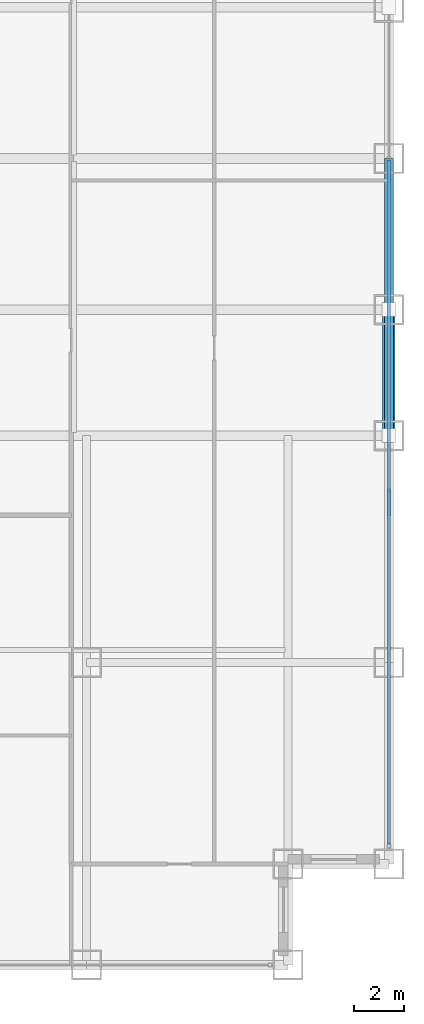
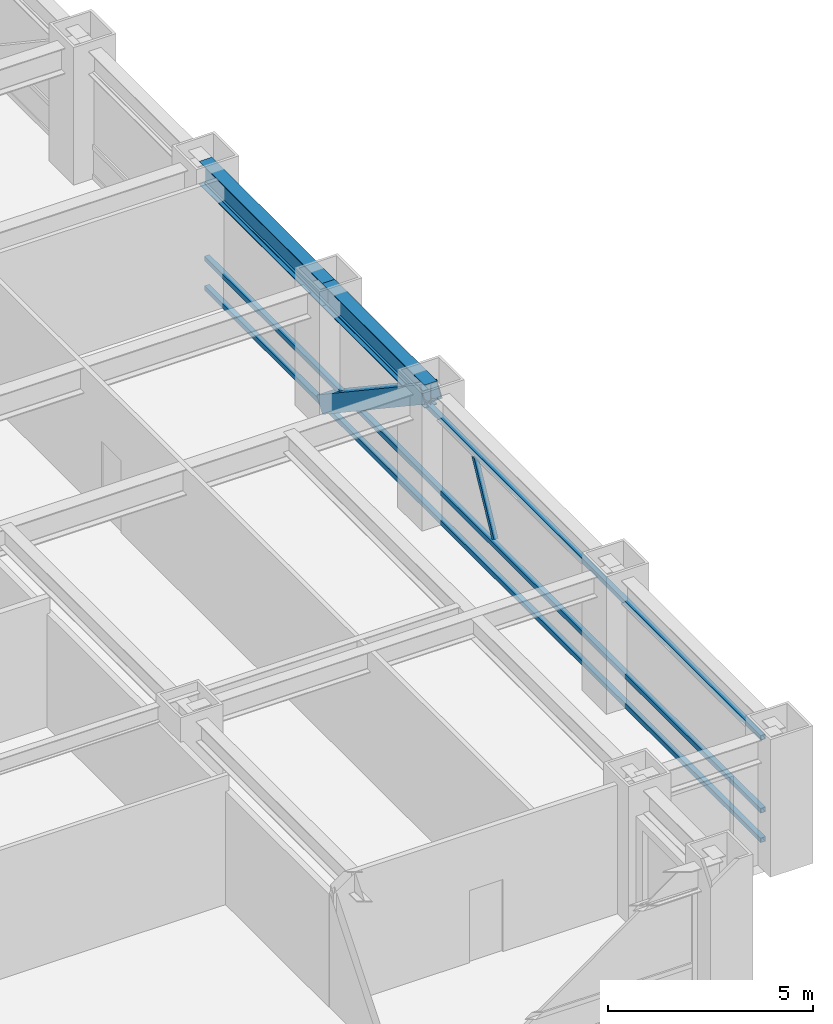
# One storey, part 13 of 28: 5 members, 2 beams, 1 element without a shape of its own.
"""IFC4 building model written with IfcOpenShell, lengths in metres."""

from ifc_helpers import new_model, si_unit, direction, frame, origin, origin_2d, place, context, subcontext, project, spatial, hollow_rectangle, i_section, extrude, source, transform, mapped, material, material_profile, profile_set, type_object, element, aggregate, save


model = new_model("IFC4")

# Units and contexts
model_context = context("Model", 3, precision=1e-05, world=origin(), true_north=direction((0.0, 1.0)))
body_context = subcontext(model_context, "Body", "Model", "MODEL_VIEW")
ifc_project = project(units=[si_unit("LENGTHUNIT", "METRE"), si_unit("AREAUNIT", "SQUARE_METRE"), si_unit("VOLUMEUNIT", "CUBIC_METRE"), si_unit("PLANEANGLEUNIT", "RADIAN"), si_unit("MASSUNIT", "GRAM", prefix="KILO")], contexts=[model_context])

# Site, building, storey
site_placement = place(None, origin())
site = spatial("IfcSite", under=ifc_project, at=site_placement, CompositionType="ELEMENT")
building_placement = place(site_placement, origin())
building = spatial("IfcBuilding", under=site, at=building_placement, Name="Khorayat Bourse Tower", CompositionType="ELEMENT")
storey_placement = place(building_placement, frame((0.0, 0.0, 120.10009765625)))
storey = spatial("IfcBuildingStorey", under=building, at=storey_placement, Name="L27", CompositionType="ELEMENT", Elevation=120.10009765625)

# Beams
ifc_material_1 = material(Name="Steel ASTM A992 Grade 50", Category="steel")
ifc_material_profile_1 = material_profile(ifc_material_1, i_section(OverallWidth=0.35498046875, OverallDepth=0.695068359375, WebThickness=0.015380859375, FlangeThickness=0.02490234375, FilletRadius=0.01806640625, at=origin_2d()), Name="W690X217")
ifc_profile_set_1 = profile_set([ifc_material_profile_1], Name="Steel ASTM A992 Grade 50")
beam_type = type_object("IfcBeamType", Name="BM-SPAN-690", PredefinedType="SPANDREL", material=ifc_profile_set_1)
shared_shape_1 = source(origin(), body_context, "Body", "SweptSolid", [
    extrude(i_section(OverallWidth=0.35498046875, OverallDepth=0.695068359375, WebThickness=0.015380859375, FlangeThickness=0.02490234375, FilletRadius=0.01806640625, at=origin_2d()), origin(), (0.0, 0.0, 1.0), 5.0),
])
beam_1_placement = place(storey_placement, frame((32.0, -11.0, 3.492431640625), z_axis=(0.0, 1.0, 0.0), x_axis=(-1.0, 0.0, 0.0)))
element("IfcBeam", 1, at=beam_1_placement, inside=storey, type_object=beam_type, Name="L27 BM-SPAN-690 BM-L27-SPN-036", PredefinedType="SPANDREL", context=body_context, shape_type="MappedRepresentation", body=[
    mapped(shared_shape_1, transform((0.0, 0.0, 0.0), scale=1.0)),
])
shared_shape_2 = source(origin(), body_context, "Body", "SweptSolid", [
    extrude(i_section(OverallWidth=0.35498046875, OverallDepth=0.695068359375, WebThickness=0.015380859375, FlangeThickness=0.02490234375, FilletRadius=0.01806640625, at=origin_2d()), origin(), (0.0, 0.0, 1.0), 6.0),
])
beam_2_placement = place(storey_placement, frame((32.0, -6.0, 3.492431640625), z_axis=(0.0, 1.0, 0.0), x_axis=(-1.0, 0.0, 0.0)))
element("IfcBeam", 2, at=beam_2_placement, inside=storey, type_object=beam_type, Name="L27 BM-SPAN-690 BM-L27-SPN-037", PredefinedType="SPANDREL", context=body_context, shape_type="MappedRepresentation", body=[
    mapped(shared_shape_2, transform((0.0, 0.0, 0.0), scale=1.0)),
])

# Member
ifc_material_2 = material(Name="Steel EN 10025-4 S460M", Category="steel")
ifc_material_profile_2 = material_profile(ifc_material_2, hollow_rectangle(XDim=0.5, YDim=0.5, WallThickness=0.028076171875, at=origin_2d()), Name="HSS 500x500x28")
ifc_profile_set_2 = profile_set([ifc_material_profile_2], Name="Steel EN 10025-4 S460M")
member_type_1 = type_object("IfcMemberType", Name="MBR-TUBE-500", PredefinedType="BRACE", material=ifc_profile_set_2)
shared_shape_3 = source(origin(), body_context, "Body", "SweptSolid", [
    extrude(hollow_rectangle(XDim=0.5, YDim=0.5, WallThickness=0.028076171875, at=origin_2d()), origin(), (0.0, 0.0, 1.0), 6.012939453125),
])
member_1_placement = place(storey_placement, frame((32.0, -11.0, 3.58984375), z_axis=(0.0, 0.831550226979, -0.555449565677), x_axis=(-1.0, 0.0, 0.0)))
element("IfcMember", 3, at=member_1_placement, inside=storey, type_object=member_type_1, Name="L27 Perimeter Tube Brace 07", PredefinedType="BRACE", context=body_context, shape_type="MappedRepresentation", body=[
    mapped(shared_shape_3, transform((0.0, 0.0, 0.0), scale=1.0)),
])

# Curtain wall, members
ifc_material_3 = material(Name="Aluminium EN AW-6063 T6", Category="aluminium")
curtain_wall_type = type_object("IfcCurtainWallType", Name="CW-SYS-02", PredefinedType="NOTDEFINED", material=ifc_material_3)
curtain_wall_placement = place(storey_placement, origin())
curtain_wall = element("IfcCurtainWall", 4, at=curtain_wall_placement, inside=storey, type_object=curtain_wall_type, Name="L27 Curtain Wall CW-L27-E1", PredefinedType="NOTDEFINED")
ifc_material_profile_3 = material_profile(ifc_material_3, hollow_rectangle(XDim=0.139892578125, YDim=0.139892578125, WallThickness=0.006103515625, at=origin_2d()), Name="ALU 140x140x6")
ifc_profile_set_3 = profile_set([ifc_material_profile_3], Name="Aluminium EN AW-6063 T6")
member_type_2 = type_object("IfcMemberType", Name="CWT-HORZ-140", PredefinedType="USERDEFINED", material=ifc_profile_set_3)
shared_shape_4 = source(origin(), body_context, "Body", "SweptSolid", [
    extrude(hollow_rectangle(XDim=0.139892578125, YDim=0.139892578125, WallThickness=0.006103515625, at=origin_2d()), origin(), (0.0, 0.0, 1.0), 27.139892578125),
])
member_2_placement = place(storey_placement, frame((32.0, -27.2099609375, 0.06982421875), z_axis=(0.0, 1.0, 0.0), x_axis=(-1.0, 0.0, 0.0)))
member_2 = element("IfcMember", 5, at=member_2_placement, type_object=member_type_2, Name="CW-L27-E1 Horizontal Transom 1-1", ObjectType="TRANSOM", PredefinedType="USERDEFINED", context=body_context, shape_type="MappedRepresentation", body=[
    mapped(shared_shape_4, transform((0.0, 0.0, 0.0), scale=1.0)),
])
member_3_placement = place(storey_placement, frame((32.0, -27.2099609375, 0.949951171875), z_axis=(0.0, 1.0, 0.0), x_axis=(-1.0, 0.0, 0.0)))
member_3 = element("IfcMember", 6, at=member_3_placement, type_object=member_type_2, Name="CW-L27-E1 Horizontal Transom 1-2", ObjectType="TRANSOM", PredefinedType="USERDEFINED", context=body_context, shape_type="MappedRepresentation", body=[
    mapped(shared_shape_4, transform((0.0, 0.0, 0.0), scale=1.0)),
])
member_4_placement = place(storey_placement, frame((32.0, -27.2099609375, 3.119873046875), z_axis=(0.0, 1.0, 0.0), x_axis=(-1.0, 0.0, 0.0)))
member_4 = element("IfcMember", 7, at=member_4_placement, type_object=member_type_2, Name="CW-L27-E1 Horizontal Transom 1-3", ObjectType="TRANSOM", PredefinedType="USERDEFINED", context=body_context, shape_type="MappedRepresentation", body=[
    mapped(shared_shape_4, transform((0.0, 0.0, 0.0), scale=1.0)),
])
ifc_material_profile_4 = material_profile(ifc_material_3, hollow_rectangle(XDim=0.1201171875, YDim=0.1201171875, WallThickness=0.0048828125, at=origin_2d()), Name="ALU 120x120x5")
ifc_profile_set_4 = profile_set([ifc_material_profile_4], Name="Aluminium EN AW-6063 T6")
member_type_3 = type_object("IfcMemberType", Name="CWM-DIAG-120", PredefinedType="MULLION", material=ifc_profile_set_4)
shared_shape_5 = source(origin(), body_context, "Body", "SweptSolid", [
    extrude(hollow_rectangle(XDim=0.1201171875, YDim=0.1201171875, WallThickness=0.0048828125, at=origin_2d()), origin(), (0.0, 0.0, 1.0), 2.11328125),
])
member_5_placement = place(storey_placement, frame((32.0, -14.132080078125, 1.099853515625), z_axis=(0.0, 0.465694055905, 0.884945787207), x_axis=(-1.0, 0.0, 0.0)))
member_5 = element("IfcMember", 8, at=member_5_placement, type_object=member_type_3, Name="CW-L27-E1 Faceted Diagonal Mullion 1", PredefinedType="MULLION", context=body_context, shape_type="MappedRepresentation", body=[
    mapped(shared_shape_5, transform((0.0, 0.0, 0.0), scale=1.0)),
])
aggregate(curtain_wall, [member_2, member_3, member_4, member_5])

save(model, "model.ifc")
